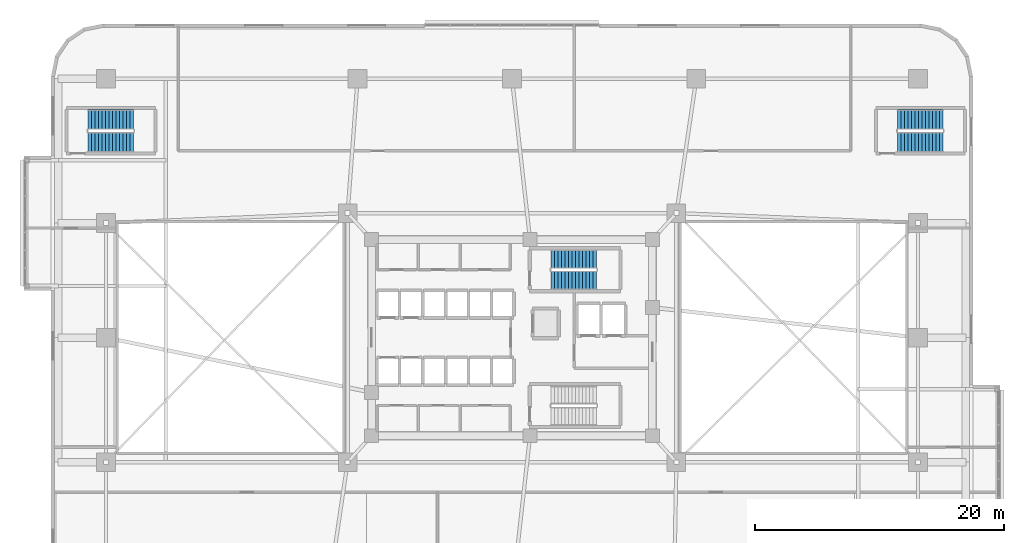
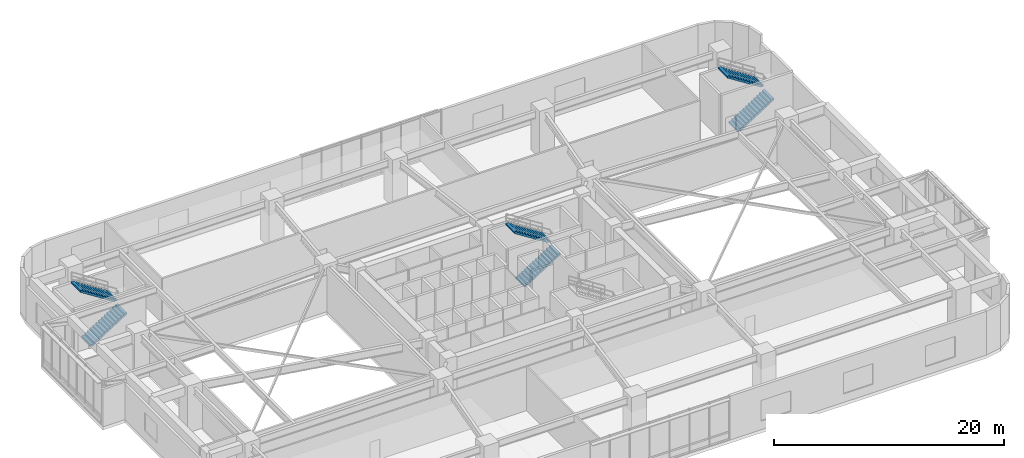
# One storey, part 19 of 24: 6 stair flights, 3 elements without a shape of their own.
"""IFC4 building model written with IfcOpenShell, lengths in metres."""

from ifc_helpers import new_model, si_unit, direction, frame, origin, place, context, subcontext, project, spatial, polyline, outline, extrude, material, type_object, element, aggregate, save


model = new_model("IFC4")

# Units and contexts
model_context = context("Model", 3, precision=1e-05, world=origin(), true_north=direction((0.0, 1.0)))
body_context = subcontext(model_context, "Body", "Model", "MODEL_VIEW")
ifc_project = project(units=[si_unit("LENGTHUNIT", "METRE"), si_unit("AREAUNIT", "SQUARE_METRE"), si_unit("VOLUMEUNIT", "CUBIC_METRE"), si_unit("PLANEANGLEUNIT", "RADIAN"), si_unit("MASSUNIT", "GRAM", prefix="KILO")], contexts=[model_context])

# Site, building, storey
site_placement = place(None, origin())
site = spatial("IfcSite", under=ifc_project, at=site_placement, CompositionType="ELEMENT")
building_placement = place(site_placement, origin())
building = spatial("IfcBuilding", under=site, at=building_placement, Name="Zulverin Broadcast Headquarters", CompositionType="ELEMENT")
storey_placement = place(building_placement, frame((0.0, 0.0, 5.0)))
storey = spatial("IfcBuildingStorey", under=building, at=storey_placement, Name="L01", CompositionType="ELEMENT", Elevation=5.0)

# Stair, stair flights
ifc_material = material(Name="Concrete C40/50", Category="concrete")
stair_type_1 = type_object("IfcStairType", Name="ST-CORE-1500", PredefinedType="HALF_TURN_STAIR", material=ifc_material)
stair_1_placement = place(storey_placement, origin())
stair_1 = element("IfcStair", 1, at=stair_1_placement, inside=storey, type_object=stair_type_1, Name="L01 Core Exit Stair ST-1", PredefinedType="HALF_TURN_STAIR")
stair_flight_type_1 = type_object("IfcStairFlightType", Name="SF-CORE-1500", PredefinedType="STRAIGHT", material=ifc_material)
stair_flight_1_placement = place(storey_placement, frame((40.1298828125, 29.800048828125, 0.0), z_axis=(0.0, 0.0, 1.0), x_axis=(1.0, 0.0, 0.0)))
stair_flight_1 = element("IfcStairFlight", 2, at=stair_flight_1_placement, type_object=stair_flight_type_1, Name="ST-1 flight 1", NumberOfRisers=14, NumberOfTreads=13, PredefinedType="STRAIGHT", RiserHeight=0.178571429, TreadLength=0.28, context=body_context, shape_type="SweptSolid", body=[
    extrude(outline(polyline([(0.0, 0.0), (0.0, 0.178466796875), (0.280029296875, 0.178466796875), (0.280029296875, 0.357177734375), (0.56005859375, 0.357177734375), (0.56005859375, 0.53564453125), (0.840087890625, 0.53564453125), (0.840087890625, 0.71435546875), (1.1201171875, 0.71435546875), (1.1201171875, 0.892822265625), (1.39990234375, 0.892822265625), (1.39990234375, 1.071533203125), (1.679931640625, 1.071533203125), (1.679931640625, 1.25), (1.9599609375, 1.25), (1.9599609375, 1.428466796875), (2.239990234375, 1.428466796875), (2.239990234375, 1.607177734375), (2.52001953125, 1.607177734375), (2.52001953125, 1.78564453125), (2.800048828125, 1.78564453125), (2.800048828125, 1.96435546875), (3.080078125, 1.96435546875), (3.080078125, 2.142822265625), (3.360107421875, 2.142822265625), (3.360107421875, 2.321533203125), (3.639892578125, 2.321533203125), (3.639892578125, 2.5), (3.639892578125, 2.1435546875), (0.27880859375, 0.0), (0.0, 0.0)])), frame((0.0, 0.75, 0.0), z_axis=(0.0, -1.0, 0.0), x_axis=(1.0, 0.0, 0.0)), (0.0, 0.0, 1.0), 1.5),
])
stair_flight_2_placement = place(storey_placement, frame((43.77001953125, 31.5, 2.5), z_axis=(0.0, 0.0, 1.0), x_axis=(-1.0, 0.0, 0.0)))
stair_flight_2 = element("IfcStairFlight", 3, at=stair_flight_2_placement, type_object=stair_flight_type_1, Name="ST-1 flight 2", NumberOfRisers=14, NumberOfTreads=13, PredefinedType="STRAIGHT", RiserHeight=0.178571429, TreadLength=0.28, context=body_context, shape_type="SweptSolid", body=[
    extrude(outline(polyline([(0.0, 0.0), (0.0, 0.178466796875), (0.280029296875, 0.178466796875), (0.280029296875, 0.357177734375), (0.56005859375, 0.357177734375), (0.56005859375, 0.53564453125), (0.840087890625, 0.53564453125), (0.840087890625, 0.71435546875), (1.1201171875, 0.71435546875), (1.1201171875, 0.892822265625), (1.39990234375, 0.892822265625), (1.39990234375, 1.071533203125), (1.679931640625, 1.071533203125), (1.679931640625, 1.25), (1.9599609375, 1.25), (1.9599609375, 1.428466796875), (2.239990234375, 1.428466796875), (2.239990234375, 1.607177734375), (2.52001953125, 1.607177734375), (2.52001953125, 1.78564453125), (2.800048828125, 1.78564453125), (2.800048828125, 1.96435546875), (3.080078125, 1.96435546875), (3.080078125, 2.142822265625), (3.360107421875, 2.142822265625), (3.360107421875, 2.321533203125), (3.639892578125, 2.321533203125), (3.639892578125, 2.5), (3.639892578125, 2.1435546875), (0.27880859375, 0.0), (0.0, 0.0)])), frame((0.0, 0.75, 0.0), z_axis=(0.0, -1.0, 0.0), x_axis=(1.0, 0.0, 0.0)), (0.0, 0.0, 1.0), 1.5),
])
aggregate(stair_1, [stair_flight_1, stair_flight_2])

stair_type_2 = type_object("IfcStairType", Name="ST-POD-1600", PredefinedType="HALF_TURN_STAIR", material=ifc_material)
stair_2_placement = place(storey_placement, origin())
stair_2 = element("IfcStair", 4, at=stair_2_placement, inside=storey, type_object=stair_type_2, Name="L01 Podium Exit Stair ST-3", PredefinedType="HALF_TURN_STAIR")
stair_flight_type_2 = type_object("IfcStairFlightType", Name="SF-POD-1600", PredefinedType="STRAIGHT", material=ifc_material)
stair_flight_3_placement = place(storey_placement, frame((2.969970703125, 40.89990234375, 0.0), z_axis=(0.0, 0.0, 1.0), x_axis=(1.0, 0.0, 0.0)))
stair_flight_3 = element("IfcStairFlight", 5, at=stair_flight_3_placement, type_object=stair_flight_type_2, Name="ST-3 flight 1", NumberOfRisers=14, NumberOfTreads=13, PredefinedType="STRAIGHT", RiserHeight=0.178571429, TreadLength=0.28, context=body_context, shape_type="SweptSolid", body=[
    extrude(outline(polyline([(0.0, 0.0), (0.0, 0.178466796875), (0.280029296875, 0.178466796875), (0.280029296875, 0.357177734375), (0.56005859375, 0.357177734375), (0.56005859375, 0.53564453125), (0.840087890625, 0.53564453125), (0.840087890625, 0.71435546875), (1.1201171875, 0.71435546875), (1.1201171875, 0.892822265625), (1.39990234375, 0.892822265625), (1.39990234375, 1.071533203125), (1.679931640625, 1.071533203125), (1.679931640625, 1.25), (1.9599609375, 1.25), (1.9599609375, 1.428466796875), (2.239990234375, 1.428466796875), (2.239990234375, 1.607177734375), (2.52001953125, 1.607177734375), (2.52001953125, 1.78564453125), (2.800048828125, 1.78564453125), (2.800048828125, 1.96435546875), (3.080078125, 1.96435546875), (3.080078125, 2.142822265625), (3.360107421875, 2.142822265625), (3.360107421875, 2.321533203125), (3.639892578125, 2.321533203125), (3.639892578125, 2.5), (3.639892578125, 2.1435546875), (0.27880859375, 0.0), (0.0, 0.0)])), frame((0.0, 0.800048828125, 0.0), z_axis=(0.0, -1.0, 0.0), x_axis=(1.0, 0.0, 0.0)), (0.0, 0.0, 1.0), 1.60009765625),
])
stair_flight_4_placement = place(storey_placement, frame((6.610107421875, 42.699951171875, 2.5), z_axis=(0.0, 0.0, 1.0), x_axis=(-1.0, 0.0, 0.0)))
stair_flight_4 = element("IfcStairFlight", 6, at=stair_flight_4_placement, type_object=stair_flight_type_2, Name="ST-3 flight 2", NumberOfRisers=14, NumberOfTreads=13, PredefinedType="STRAIGHT", RiserHeight=0.178571429, TreadLength=0.28, context=body_context, shape_type="SweptSolid", body=[
    extrude(outline(polyline([(0.0, 0.0), (0.0, 0.178466796875), (0.280029296875, 0.178466796875), (0.280029296875, 0.357177734375), (0.56005859375, 0.357177734375), (0.56005859375, 0.53564453125), (0.840087890625, 0.53564453125), (0.840087890625, 0.71435546875), (1.1201171875, 0.71435546875), (1.1201171875, 0.892822265625), (1.39990234375, 0.892822265625), (1.39990234375, 1.071533203125), (1.679931640625, 1.071533203125), (1.679931640625, 1.25), (1.9599609375, 1.25), (1.9599609375, 1.428466796875), (2.239990234375, 1.428466796875), (2.239990234375, 1.607177734375), (2.52001953125, 1.607177734375), (2.52001953125, 1.78564453125), (2.800048828125, 1.78564453125), (2.800048828125, 1.96435546875), (3.080078125, 1.96435546875), (3.080078125, 2.142822265625), (3.360107421875, 2.142822265625), (3.360107421875, 2.321533203125), (3.639892578125, 2.321533203125), (3.639892578125, 2.5), (3.639892578125, 2.1435546875), (0.27880859375, 0.0), (0.0, 0.0)])), frame((0.0, 0.800048828125, 0.0), z_axis=(0.0, -1.0, 0.0), x_axis=(1.0, 0.0, 0.0)), (0.0, 0.0, 1.0), 1.60009765625),
])
aggregate(stair_2, [stair_flight_3, stair_flight_4])

stair_3_placement = place(storey_placement, origin())
stair_3 = element("IfcStair", 7, at=stair_3_placement, inside=storey, type_object=stair_type_2, Name="L01 Podium Exit Stair ST-4", PredefinedType="HALF_TURN_STAIR")
stair_flight_5_placement = place(storey_placement, frame((67.969970703125, 40.89990234375, 0.0), z_axis=(0.0, 0.0, 1.0), x_axis=(1.0, 0.0, 0.0)))
stair_flight_5 = element("IfcStairFlight", 8, at=stair_flight_5_placement, type_object=stair_flight_type_2, Name="ST-4 flight 1", NumberOfRisers=14, NumberOfTreads=13, PredefinedType="STRAIGHT", RiserHeight=0.178571429, TreadLength=0.28, context=body_context, shape_type="SweptSolid", body=[
    extrude(outline(polyline([(0.0, 0.0), (0.0, 0.178466796875), (0.280029296875, 0.178466796875), (0.280029296875, 0.357177734375), (0.56005859375, 0.357177734375), (0.56005859375, 0.53564453125), (0.840087890625, 0.53564453125), (0.840087890625, 0.71435546875), (1.1201171875, 0.71435546875), (1.1201171875, 0.892822265625), (1.39990234375, 0.892822265625), (1.39990234375, 1.071533203125), (1.679931640625, 1.071533203125), (1.679931640625, 1.25), (1.9599609375, 1.25), (1.9599609375, 1.428466796875), (2.239990234375, 1.428466796875), (2.239990234375, 1.607177734375), (2.52001953125, 1.607177734375), (2.52001953125, 1.78564453125), (2.800048828125, 1.78564453125), (2.800048828125, 1.96435546875), (3.080078125, 1.96435546875), (3.080078125, 2.142822265625), (3.360107421875, 2.142822265625), (3.360107421875, 2.321533203125), (3.639892578125, 2.321533203125), (3.639892578125, 2.5), (3.639892578125, 2.1435546875), (0.27880859375, 0.0), (0.0, 0.0)])), frame((0.0, 0.800048828125, 0.0), z_axis=(0.0, -1.0, 0.0), x_axis=(1.0, 0.0, 0.0)), (0.0, 0.0, 1.0), 1.60009765625),
])
stair_flight_6_placement = place(storey_placement, frame((71.610107421875, 42.699951171875, 2.5), z_axis=(0.0, 0.0, 1.0), x_axis=(-1.0, 0.0, 0.0)))
stair_flight_6 = element("IfcStairFlight", 9, at=stair_flight_6_placement, type_object=stair_flight_type_2, Name="ST-4 flight 2", NumberOfRisers=14, NumberOfTreads=13, PredefinedType="STRAIGHT", RiserHeight=0.178571429, TreadLength=0.28, context=body_context, shape_type="SweptSolid", body=[
    extrude(outline(polyline([(0.0, 0.0), (0.0, 0.178466796875), (0.280029296875, 0.178466796875), (0.280029296875, 0.357177734375), (0.56005859375, 0.357177734375), (0.56005859375, 0.53564453125), (0.840087890625, 0.53564453125), (0.840087890625, 0.71435546875), (1.1201171875, 0.71435546875), (1.1201171875, 0.892822265625), (1.39990234375, 0.892822265625), (1.39990234375, 1.071533203125), (1.679931640625, 1.071533203125), (1.679931640625, 1.25), (1.9599609375, 1.25), (1.9599609375, 1.428466796875), (2.239990234375, 1.428466796875), (2.239990234375, 1.607177734375), (2.52001953125, 1.607177734375), (2.52001953125, 1.78564453125), (2.800048828125, 1.78564453125), (2.800048828125, 1.96435546875), (3.080078125, 1.96435546875), (3.080078125, 2.142822265625), (3.360107421875, 2.142822265625), (3.360107421875, 2.321533203125), (3.639892578125, 2.321533203125), (3.639892578125, 2.5), (3.639892578125, 2.1435546875), (0.27880859375, 0.0), (0.0, 0.0)])), frame((0.0, 0.800048828125, 0.0), z_axis=(0.0, -1.0, 0.0), x_axis=(1.0, 0.0, 0.0)), (0.0, 0.0, 1.0), 1.60009765625),
])
aggregate(stair_3, [stair_flight_5, stair_flight_6])

save(model, "model.ifc")
